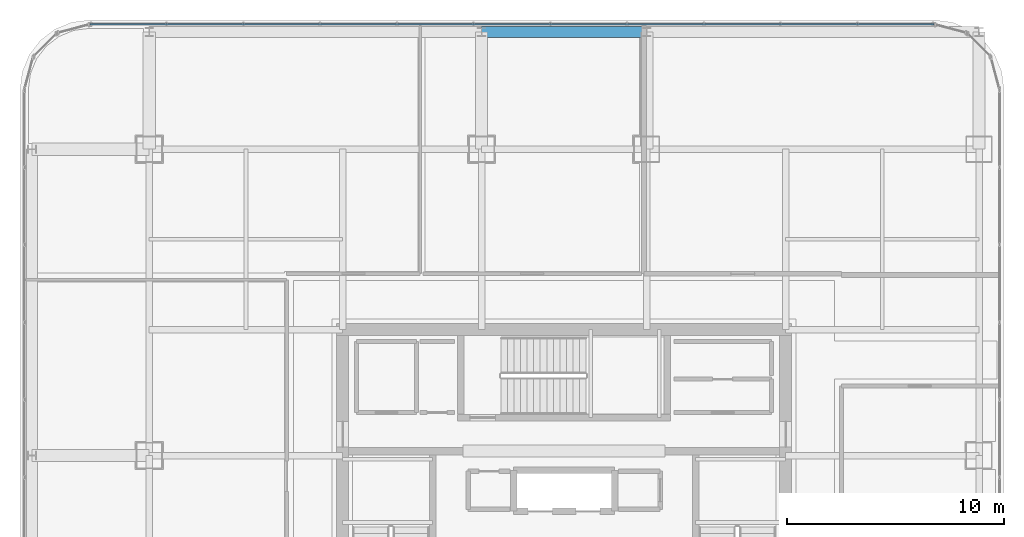
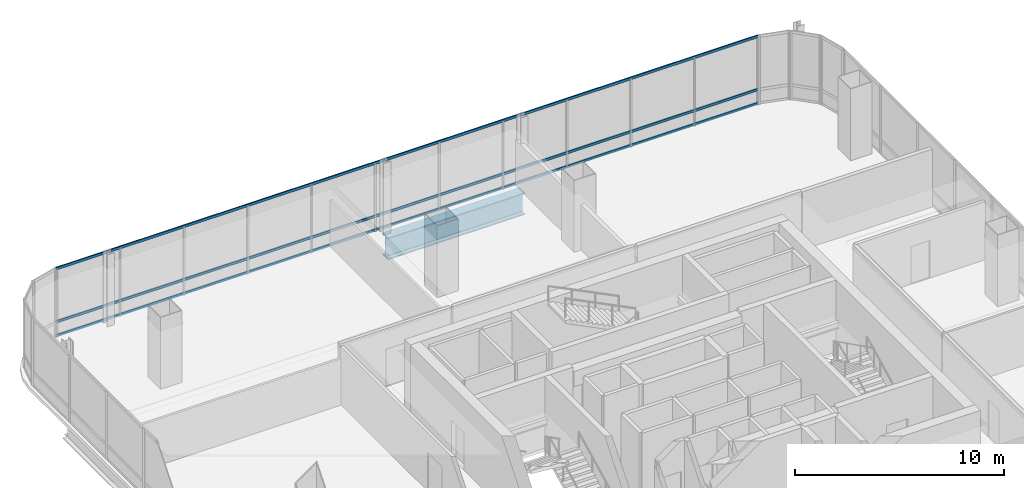
# One storey, part 26 of 41: 3 members, 1 beam, 1 element without a shape of its own.
"""IFC4 building model written with IfcOpenShell, lengths in metres."""

import ifcopenshell
import ifcopenshell.guid

model = None  # the IFC model being written
_history = None  # IfcOwnerHistory: only IFC2X3 demands one
_inside = {}  # id of a spatial element -> (the spatial element, [elements in it])
_under = {}  # id of a project, library or spatial element -> (it, [spatial elements below it])
_declared = {}  # id of a project -> (the project, [libraries it declares])
_typed = {}  # id of a type object -> (the type object, [elements of that type])
_made_of = {}  # id of a material, layer set ... -> (it, [elements and type objects made of it])


def new_model(schema):
    """Start an empty IFC model of exactly this schema.

    Asked for "IFC4X3", IfcOpenShell would pick the latest addendum, in which some entities
    have other attributes; the version numbers below select the first issue.
    IFC2X3 requires an IfcOwnerHistory on every rooted entity: one is made here for all.
    """
    global model, _history
    if schema == "IFC4X3":
        model = ifcopenshell.file(schema_version=(4, 3, 0, 0))
    else:
        model = ifcopenshell.file(schema=schema)
    _inside.clear()
    _under.clear()
    _declared.clear()
    _typed.clear()
    _made_of.clear()
    _history = None
    if model.schema == "IFC2X3":
        org = make("IfcOrganization", Name="unknown")
        user = make(
            "IfcPersonAndOrganization",
            ThePerson=make("IfcPerson", FamilyName="unknown"),
            TheOrganization=org,
        )
        app = make(
            "IfcApplication",
            ApplicationDeveloper=org,
            Version="unknown",
            ApplicationFullName="unknown",
            ApplicationIdentifier="unknown",
        )
        _history = make(
            "IfcOwnerHistory",
            OwningUser=user,
            OwningApplication=app,
            ChangeAction="ADDED",
            CreationDate=0,
        )
    return model


def make(cls, **values):
    """One entity of the class cls with the attributes given. An attribute that is None is left unset."""
    return model.create_entity(
        cls, **{name: value for name, value in values.items() if value is not None}
    )


def rooted(cls, **values):
    """An entity with a GlobalId (a new one), such as an element, a storey or a relation."""
    return make(cls, GlobalId=ifcopenshell.guid.new(), OwnerHistory=_history, **values)


def si_unit(unit_type, name, prefix=None):
    """IfcSIUnit, for example si_unit("LENGTHUNIT", "METRE", prefix="MILLI")."""
    return make("IfcSIUnit", UnitType=unit_type, Prefix=prefix, Name=name)


def assignment(units):
    """IfcUnitAssignment: the units of a project."""
    return None if units is None else make("IfcUnitAssignment", Units=units)


def point(xyz):
    """IfcCartesianPoint."""
    return None if xyz is None else make("IfcCartesianPoint", Coordinates=xyz)


def direction(xyz):
    """IfcDirection."""
    return None if xyz is None else make("IfcDirection", DirectionRatios=xyz)


def frame(location, z_axis=None, x_axis=None):
    """IfcAxis2Placement3D, a coordinate frame: its origin and axes. An axis left out is left unset."""
    return make(
        "IfcAxis2Placement3D",
        Location=point(location),
        Axis=direction(z_axis),
        RefDirection=direction(x_axis),
    )


def frame_2d(location, x_axis=None):
    """IfcAxis2Placement2D, a coordinate frame in the plane: its origin and x axis."""
    return make(
        "IfcAxis2Placement2D", Location=point(location), RefDirection=direction(x_axis)
    )


def origin():
    """The frame at (0, 0, 0) with its axes left unset."""
    return frame((0.0, 0.0, 0.0))


def origin_2d():
    """The frame at (0, 0) in the plane with its x axis left unset."""
    return frame_2d((0.0, 0.0))


def place(relative_to, where):
    """IfcLocalPlacement: puts the frame where relative to a parent placement (None: the world)."""
    return make(
        "IfcLocalPlacement", PlacementRelTo=relative_to, RelativePlacement=where
    )


def context(
    kind, dimensions, precision=None, world=None, true_north=None, identifier=None
):
    """IfcGeometricRepresentationContext, for example the 3D "Model" context."""
    return make(
        "IfcGeometricRepresentationContext",
        ContextIdentifier=identifier,
        ContextType=kind,
        CoordinateSpaceDimension=dimensions,
        Precision=precision,
        WorldCoordinateSystem=world,
        TrueNorth=true_north,
    )


def subcontext(parent, identifier, kind, view, scale=None):
    """IfcGeometricRepresentationSubContext, for example "Body" below "Model"."""
    return make(
        "IfcGeometricRepresentationSubContext",
        ContextIdentifier=identifier,
        ContextType=kind,
        ParentContext=parent,
        TargetScale=scale,
        TargetView=view,
    )


def project(units=None, contexts=None):
    """IfcProject with its units and contexts."""
    return rooted(
        "IfcProject",
        Name="project",
        RepresentationContexts=contexts,
        UnitsInContext=assignment(units),
    )


def spatial(cls, under=None, at=None, **own):
    """A site, building, storey or space (cls), placed at a placement, below another one or the project."""
    s = rooted(cls, ObjectPlacement=at, **own)
    if under is not None:
        _under.setdefault(under.id(), (under, []))[1].append(s)
    return s


def profile(cls, at=None, kind="AREA", **sizes):
    """A parametric profile (cls). Its sizes go by their IFC names, for example OverallWidth=200.0."""
    return make(cls, ProfileType=kind, Position=at, **sizes)


def hollow_rectangle(**sizes):
    """IfcRectangleHollowProfileDef."""
    return profile("IfcRectangleHollowProfileDef", **sizes)


def i_section(**sizes):
    """IfcIShapeProfileDef."""
    return profile("IfcIShapeProfileDef", **sizes)


def extrude(swept, where, along, depth):
    """IfcExtrudedAreaSolid: the profile swept, set in the frame where, extruded along a direction by depth."""
    return make(
        "IfcExtrudedAreaSolid",
        SweptArea=swept,
        Position=where,
        ExtrudedDirection=direction(along),
        Depth=depth,
    )


def shape(context_of_items, identifier, shape_type, items):
    """IfcShapeRepresentation: the items that make up one representation, for example the "Body"."""
    return make(
        "IfcShapeRepresentation",
        ContextOfItems=context_of_items,
        RepresentationIdentifier=identifier,
        RepresentationType=shape_type,
        Items=items,
    )


def material(Name=None, Category=None):
    """IfcMaterial."""
    return make("IfcMaterial", Name=Name, Category=Category)


def material_profile(
    of_material, cross_section, Name=None, Category=None, Priority=None
):
    """IfcMaterialProfile: a cross section and its material."""
    return make(
        "IfcMaterialProfile",
        Name=Name,
        Material=of_material,
        Profile=cross_section,
        Priority=Priority,
        Category=Category,
    )


def profile_set(profiles, Name=None, composite=None):
    """IfcMaterialProfileSet."""
    return make(
        "IfcMaterialProfileSet",
        Name=Name,
        MaterialProfiles=profiles,
        CompositeProfile=composite,
    )


def made_of(thing, what):
    """Note that an element or type object is made of a material, layer set ...; save() writes the relation."""
    if what is not None:
        _made_of.setdefault(what.id(), (what, []))[1].append(thing)
    return thing


def type_object(cls, material=None, **own):
    """A type object (cls), such as IfcWallType, which elements share."""
    return made_of(rooted(cls, **own), material)


def element(
    cls,
    number,
    at=None,
    inside=None,
    cuts=None,
    type_object=None,
    material=None,
    context=None,
    identifier="Body",
    shape_type=None,
    held_by="IfcProductDefinitionShape",
    body=None,
    shapes=None,
    **own,
):
    """One element of the class cls, such as IfcWall. Its Tag is "e" and its number.

    at: its placement. inside: the storey or other place that contains it. cuts: it is an
    opening in that element (IfcRelVoidsElement). A single representation is given by context,
    identifier, shape_type and body (its items); several are given by shapes. held_by: the class
    of the entity that holds the representations. save() writes the other relations.
    """
    e = rooted(cls, Tag="e%d" % number, ObjectPlacement=at, **own)
    if body is not None:
        shapes = [shape(context, identifier, shape_type, body)]
    if shapes is not None:
        e.Representation = make(held_by, Representations=shapes)
    if inside is not None:
        _inside.setdefault(inside.id(), (inside, []))[1].append(e)
    if cuts is not None:
        rooted(
            "IfcRelVoidsElement", RelatingBuildingElement=cuts, RelatedOpeningElement=e
        )
    if type_object is not None:
        _typed.setdefault(type_object.id(), (type_object, []))[1].append(e)
    return made_of(e, material)


def aggregate(whole, parts):
    """IfcRelAggregates: a whole, such as a stair, and the parts it consists of."""
    return rooted("IfcRelAggregates", RelatingObject=whole, RelatedObjects=parts)


def save(model, path):
    """Write the relations noted so far, then the file.

    IfcRelAggregates (storeys below a building ...), IfcRelContainedInSpatialStructure (elements
    in a storey), IfcRelDefinesByType, IfcRelAssociatesMaterial and IfcRelDeclares: one each for
    every whole, place, type object, material and project.
    """
    for whole, parts in _under.values():
        aggregate(whole, parts)
    for where, things in _inside.values():
        rooted(
            "IfcRelContainedInSpatialStructure",
            RelatedElements=things,
            RelatingStructure=where,
        )
    for kind, things in _typed.values():
        rooted("IfcRelDefinesByType", RelatedObjects=things, RelatingType=kind)
    for what, things in _made_of.values():
        rooted("IfcRelAssociatesMaterial", RelatedObjects=things, RelatingMaterial=what)
    for by, libraries in _declared.values():
        rooted("IfcRelDeclares", RelatingContext=by, RelatedDefinitions=libraries)
    model.write(path)


model = new_model("IFC4")

# Units and contexts
model_context = context("Model", 3, precision=1e-05, world=origin(), true_north=direction((0.0, 1.0)))
body_context = subcontext(model_context, "Body", "Model", "MODEL_VIEW")
ifc_project = project(units=[si_unit("LENGTHUNIT", "METRE"), si_unit("AREAUNIT", "SQUARE_METRE"), si_unit("VOLUMEUNIT", "CUBIC_METRE"), si_unit("PLANEANGLEUNIT", "RADIAN"), si_unit("MASSUNIT", "GRAM", prefix="KILO")], contexts=[model_context])

# Site, building, storey
site_placement = place(None, origin())
site = spatial("IfcSite", under=ifc_project, at=site_placement, CompositionType="ELEMENT")
building_placement = place(site_placement, origin())
building = spatial("IfcBuilding", under=site, at=building_placement, Name="Punatoya Terracotta Tower", CompositionType="ELEMENT")
storey_placement = place(building_placement, frame((0.0, 0.0, 288.0)))
storey = spatial("IfcBuildingStorey", under=building, at=storey_placement, Name="L68", CompositionType="ELEMENT", Elevation=288.0)

# Beam
ifc_material_1 = material(Name="Steel S460", Category="steel")
ifc_material_profile_1 = material_profile(ifc_material_1, i_section(OverallWidth=0.52001953125, OverallDepth=1.280029296875, WebThickness=0.031982421875, FlangeThickness=0.050048828125, FilletRadius=0.01806640625, at=origin_2d()))
ifc_profile_set_1 = profile_set([ifc_material_profile_1], Name="Steel S460")
beam_type = type_object("IfcBeamType", Name="BM-TG-NCK", PredefinedType="BEAM", material=ifc_profile_set_1)
beam_placement = place(storey_placement, frame((-3.800048828125, 22.89990234375, -0.840087890625), z_axis=(1.0, 0.0, 0.0), x_axis=(0.0, 1.0, 0.0)))
element("IfcBeam", 1, at=beam_placement, inside=storey, type_object=beam_type, Name="BM-L68-PER-N2", PredefinedType="BEAM", context=body_context, shape_type="SweptSolid", body=[
    extrude(i_section(OverallWidth=0.52001953125, OverallDepth=1.280029296875, WebThickness=0.031982421875, FlangeThickness=0.050048828125, FilletRadius=0.01806640625, at=origin_2d()), origin(), (0.0, 0.0, 1.0), 7.60009765625),
])

# Curtain wall, members
ifc_material_2 = material(Name="Aluminium 6063-T6 + Double Low-E Glass", Category="aluminium")
curtain_wall_type = type_object("IfcCurtainWallType", Name="CW-M3", PredefinedType="NOTDEFINED", material=ifc_material_2)
curtain_wall_placement = place(storey_placement, origin())
curtain_wall = element("IfcCurtainWall", 2, at=curtain_wall_placement, inside=storey, type_object=curtain_wall_type, Name="L68 Curtain Wall CW-L68-N09-1", PredefinedType="NOTDEFINED")
ifc_material_3 = material(Name="Aluminium 6063-T6", Category="aluminium")
ifc_material_profile_2 = material_profile(ifc_material_3, hollow_rectangle(XDim=0.068115234375, YDim=0.14990234375, WallThickness=0.00390625, at=origin_2d()))
ifc_profile_set_2 = profile_set([ifc_material_profile_2], Name="Aluminium 6063-T6")
member_type = type_object("IfcMemberType", Name="CW-TRN-TYP", PredefinedType="USERDEFINED", material=ifc_profile_set_2)
member_1_placement = place(storey_placement, frame((17.036865234375, 23.25, 0.0400390625), z_axis=(-1.0, 0.0, 0.0), x_axis=(0.0, -1.0, 0.0)))
member_1 = element("IfcMember", 3, at=member_1_placement, type_object=member_type, Name="CW-L68-N09-1 Transom 1", ObjectType="TRANSOM", PredefinedType="USERDEFINED", context=body_context, shape_type="SweptSolid", body=[
    extrude(hollow_rectangle(XDim=0.068115234375, YDim=0.14990234375, WallThickness=0.00390625, at=origin_2d()), origin(), (0.0, 0.0, 1.0), 38.873779296875),
])
member_2_placement = place(storey_placement, frame((17.036865234375, 23.25, 0.85009765625), z_axis=(-1.0, 0.0, 0.0), x_axis=(0.0, -1.0, 0.0)))
member_2 = element("IfcMember", 4, at=member_2_placement, type_object=member_type, Name="CW-L68-N09-1 Transom 2", ObjectType="TRANSOM", PredefinedType="USERDEFINED", context=body_context, shape_type="SweptSolid", body=[
    extrude(hollow_rectangle(XDim=0.068115234375, YDim=0.14990234375, WallThickness=0.00390625, at=origin_2d()), origin(), (0.0, 0.0, 1.0), 38.873779296875),
])
member_3_placement = place(storey_placement, frame((17.036865234375, 23.25, 3.9599609375), z_axis=(-1.0, 0.0, 0.0), x_axis=(0.0, -1.0, 0.0)))
member_3 = element("IfcMember", 5, at=member_3_placement, type_object=member_type, Name="CW-L68-N09-1 Transom 3", ObjectType="TRANSOM", PredefinedType="USERDEFINED", context=body_context, shape_type="SweptSolid", body=[
    extrude(hollow_rectangle(XDim=0.068115234375, YDim=0.14990234375, WallThickness=0.00390625, at=origin_2d()), origin(), (0.0, 0.0, 1.0), 38.873779296875),
])
aggregate(curtain_wall, [member_1, member_2, member_3])

save(model, "model.ifc")
